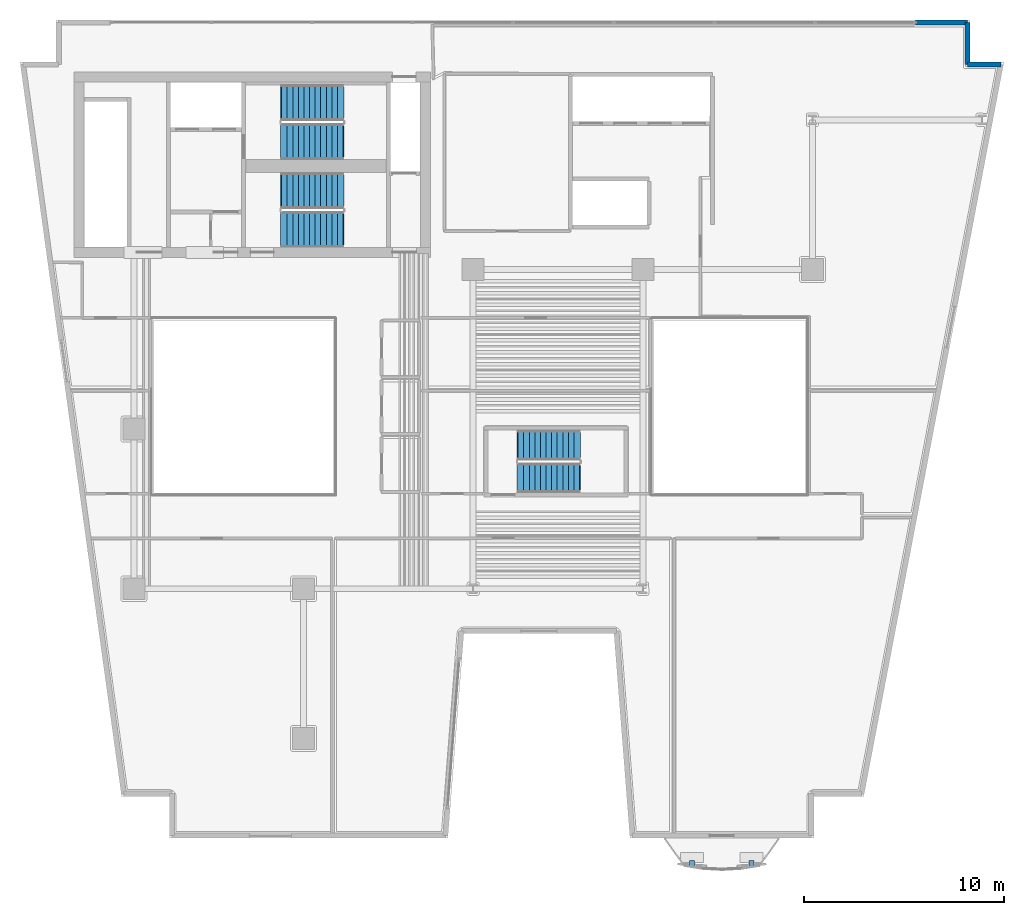
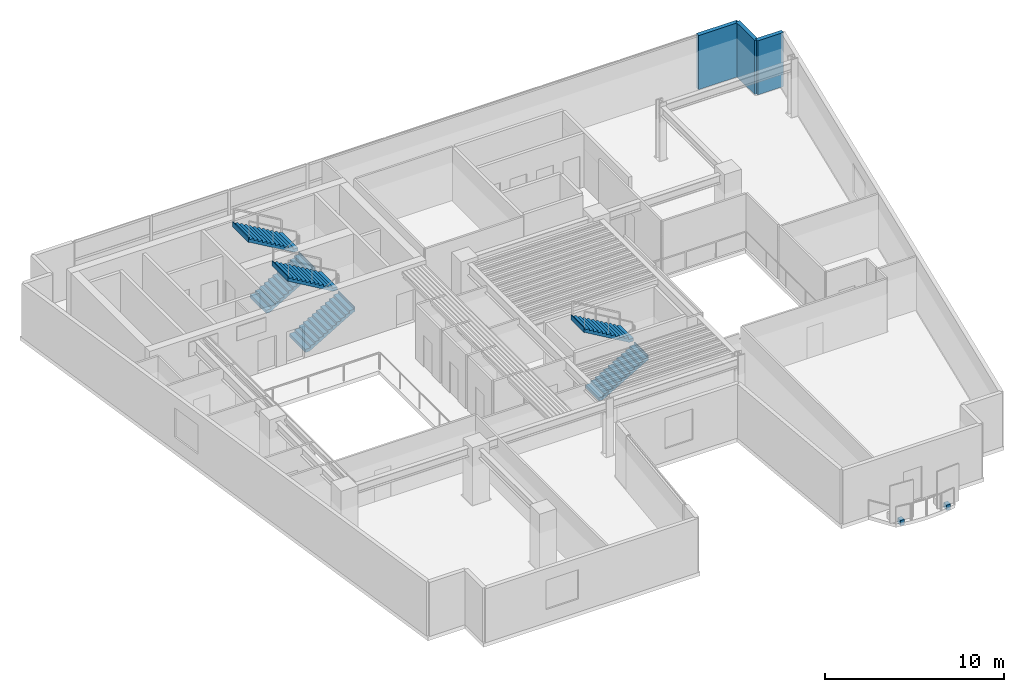
# One storey, part 8 of 13: 6 stair flights, 3 walls, 2 discrete accessories, 3 elements without a shape of their own.
"""IFC4 building model written with IfcOpenShell, lengths in metres."""

import ifcopenshell
import ifcopenshell.guid

model = None  # the IFC model being written
_history = None  # IfcOwnerHistory: only IFC2X3 demands one
_inside = {}  # id of a spatial element -> (the spatial element, [elements in it])
_under = {}  # id of a project, library or spatial element -> (it, [spatial elements below it])
_declared = {}  # id of a project -> (the project, [libraries it declares])
_typed = {}  # id of a type object -> (the type object, [elements of that type])
_made_of = {}  # id of a material, layer set ... -> (it, [elements and type objects made of it])


def new_model(schema):
    """Start an empty IFC model of exactly this schema.

    Asked for "IFC4X3", IfcOpenShell would pick the latest addendum, in which some entities
    have other attributes; the version numbers below select the first issue.
    IFC2X3 requires an IfcOwnerHistory on every rooted entity: one is made here for all.
    """
    global model, _history
    if schema == "IFC4X3":
        model = ifcopenshell.file(schema_version=(4, 3, 0, 0))
    else:
        model = ifcopenshell.file(schema=schema)
    _inside.clear()
    _under.clear()
    _declared.clear()
    _typed.clear()
    _made_of.clear()
    _history = None
    if model.schema == "IFC2X3":
        org = make("IfcOrganization", Name="unknown")
        user = make(
            "IfcPersonAndOrganization",
            ThePerson=make("IfcPerson", FamilyName="unknown"),
            TheOrganization=org,
        )
        app = make(
            "IfcApplication",
            ApplicationDeveloper=org,
            Version="unknown",
            ApplicationFullName="unknown",
            ApplicationIdentifier="unknown",
        )
        _history = make(
            "IfcOwnerHistory",
            OwningUser=user,
            OwningApplication=app,
            ChangeAction="ADDED",
            CreationDate=0,
        )
    return model


def make(cls, **values):
    """One entity of the class cls with the attributes given. An attribute that is None is left unset."""
    return model.create_entity(
        cls, **{name: value for name, value in values.items() if value is not None}
    )


def rooted(cls, **values):
    """An entity with a GlobalId (a new one), such as an element, a storey or a relation."""
    return make(cls, GlobalId=ifcopenshell.guid.new(), OwnerHistory=_history, **values)


def si_unit(unit_type, name, prefix=None):
    """IfcSIUnit, for example si_unit("LENGTHUNIT", "METRE", prefix="MILLI")."""
    return make("IfcSIUnit", UnitType=unit_type, Prefix=prefix, Name=name)


def assignment(units):
    """IfcUnitAssignment: the units of a project."""
    return None if units is None else make("IfcUnitAssignment", Units=units)


def point(xyz):
    """IfcCartesianPoint."""
    return None if xyz is None else make("IfcCartesianPoint", Coordinates=xyz)


def direction(xyz):
    """IfcDirection."""
    return None if xyz is None else make("IfcDirection", DirectionRatios=xyz)


def frame(location, z_axis=None, x_axis=None):
    """IfcAxis2Placement3D, a coordinate frame: its origin and axes. An axis left out is left unset."""
    return make(
        "IfcAxis2Placement3D",
        Location=point(location),
        Axis=direction(z_axis),
        RefDirection=direction(x_axis),
    )


def frame_2d(location, x_axis=None):
    """IfcAxis2Placement2D, a coordinate frame in the plane: its origin and x axis."""
    return make(
        "IfcAxis2Placement2D", Location=point(location), RefDirection=direction(x_axis)
    )


def origin():
    """The frame at (0, 0, 0) with its axes left unset."""
    return frame((0.0, 0.0, 0.0))


def origin_2d():
    """The frame at (0, 0) in the plane with its x axis left unset."""
    return frame_2d((0.0, 0.0))


def place(relative_to, where):
    """IfcLocalPlacement: puts the frame where relative to a parent placement (None: the world)."""
    return make(
        "IfcLocalPlacement", PlacementRelTo=relative_to, RelativePlacement=where
    )


def context(
    kind, dimensions, precision=None, world=None, true_north=None, identifier=None
):
    """IfcGeometricRepresentationContext, for example the 3D "Model" context."""
    return make(
        "IfcGeometricRepresentationContext",
        ContextIdentifier=identifier,
        ContextType=kind,
        CoordinateSpaceDimension=dimensions,
        Precision=precision,
        WorldCoordinateSystem=world,
        TrueNorth=true_north,
    )


def subcontext(parent, identifier, kind, view, scale=None):
    """IfcGeometricRepresentationSubContext, for example "Body" below "Model"."""
    return make(
        "IfcGeometricRepresentationSubContext",
        ContextIdentifier=identifier,
        ContextType=kind,
        ParentContext=parent,
        TargetScale=scale,
        TargetView=view,
    )


def project(units=None, contexts=None):
    """IfcProject with its units and contexts."""
    return rooted(
        "IfcProject",
        Name="project",
        RepresentationContexts=contexts,
        UnitsInContext=assignment(units),
    )


def spatial(cls, under=None, at=None, **own):
    """A site, building, storey or space (cls), placed at a placement, below another one or the project."""
    s = rooted(cls, ObjectPlacement=at, **own)
    if under is not None:
        _under.setdefault(under.id(), (under, []))[1].append(s)
    return s


def polyline(points):
    """IfcPolyline through the points."""
    return make("IfcPolyline", Points=[point(p) for p in points])


def profile(cls, at=None, kind="AREA", **sizes):
    """A parametric profile (cls). Its sizes go by their IFC names, for example OverallWidth=200.0."""
    return make(cls, ProfileType=kind, Position=at, **sizes)


def rectangle(**sizes):
    """IfcRectangleProfileDef."""
    return profile("IfcRectangleProfileDef", **sizes)


def outline(outer, holes=None, kind="AREA"):
    """IfcArbitraryClosedProfileDef: a profile drawn as a closed curve; with holes, ...WithVoids."""
    if holes is None:
        return make("IfcArbitraryClosedProfileDef", ProfileType=kind, OuterCurve=outer)
    return make(
        "IfcArbitraryProfileDefWithVoids",
        ProfileType=kind,
        OuterCurve=outer,
        InnerCurves=holes,
    )


def extrude(swept, where, along, depth):
    """IfcExtrudedAreaSolid: the profile swept, set in the frame where, extruded along a direction by depth."""
    return make(
        "IfcExtrudedAreaSolid",
        SweptArea=swept,
        Position=where,
        ExtrudedDirection=direction(along),
        Depth=depth,
    )


def shape(context_of_items, identifier, shape_type, items):
    """IfcShapeRepresentation: the items that make up one representation, for example the "Body"."""
    return make(
        "IfcShapeRepresentation",
        ContextOfItems=context_of_items,
        RepresentationIdentifier=identifier,
        RepresentationType=shape_type,
        Items=items,
    )


def material(Name=None, Category=None):
    """IfcMaterial."""
    return make("IfcMaterial", Name=Name, Category=Category)


def layer(
    of_material, thickness, ventilated=None, Name=None, Category=None, Priority=None
):
    """IfcMaterialLayer: one layer of a wall or slab, of a material (None: an air gap)."""
    return make(
        "IfcMaterialLayer",
        Material=of_material,
        LayerThickness=thickness,
        IsVentilated=ventilated,
        Name=Name,
        Category=Category,
        Priority=Priority,
    )


def layer_set(layers, Name=None):
    """IfcMaterialLayerSet."""
    return make("IfcMaterialLayerSet", MaterialLayers=layers, LayerSetName=Name)


def made_of(thing, what):
    """Note that an element or type object is made of a material, layer set ...; save() writes the relation."""
    if what is not None:
        _made_of.setdefault(what.id(), (what, []))[1].append(thing)
    return thing


def type_object(cls, material=None, **own):
    """A type object (cls), such as IfcWallType, which elements share."""
    return made_of(rooted(cls, **own), material)


def element(
    cls,
    number,
    at=None,
    inside=None,
    cuts=None,
    type_object=None,
    material=None,
    context=None,
    identifier="Body",
    shape_type=None,
    held_by="IfcProductDefinitionShape",
    body=None,
    shapes=None,
    **own,
):
    """One element of the class cls, such as IfcWall. Its Tag is "e" and its number.

    at: its placement. inside: the storey or other place that contains it. cuts: it is an
    opening in that element (IfcRelVoidsElement). A single representation is given by context,
    identifier, shape_type and body (its items); several are given by shapes. held_by: the class
    of the entity that holds the representations. save() writes the other relations.
    """
    e = rooted(cls, Tag="e%d" % number, ObjectPlacement=at, **own)
    if body is not None:
        shapes = [shape(context, identifier, shape_type, body)]
    if shapes is not None:
        e.Representation = make(held_by, Representations=shapes)
    if inside is not None:
        _inside.setdefault(inside.id(), (inside, []))[1].append(e)
    if cuts is not None:
        rooted(
            "IfcRelVoidsElement", RelatingBuildingElement=cuts, RelatedOpeningElement=e
        )
    if type_object is not None:
        _typed.setdefault(type_object.id(), (type_object, []))[1].append(e)
    return made_of(e, material)


def aggregate(whole, parts):
    """IfcRelAggregates: a whole, such as a stair, and the parts it consists of."""
    return rooted("IfcRelAggregates", RelatingObject=whole, RelatedObjects=parts)


def save(model, path):
    """Write the relations noted so far, then the file.

    IfcRelAggregates (storeys below a building ...), IfcRelContainedInSpatialStructure (elements
    in a storey), IfcRelDefinesByType, IfcRelAssociatesMaterial and IfcRelDeclares: one each for
    every whole, place, type object, material and project.
    """
    for whole, parts in _under.values():
        aggregate(whole, parts)
    for where, things in _inside.values():
        rooted(
            "IfcRelContainedInSpatialStructure",
            RelatedElements=things,
            RelatingStructure=where,
        )
    for kind, things in _typed.values():
        rooted("IfcRelDefinesByType", RelatedObjects=things, RelatingType=kind)
    for what, things in _made_of.values():
        rooted("IfcRelAssociatesMaterial", RelatedObjects=things, RelatingMaterial=what)
    for by, libraries in _declared.values():
        rooted("IfcRelDeclares", RelatingContext=by, RelatedDefinitions=libraries)
    model.write(path)


model = new_model("IFC4")

# Units and contexts
model_context = context("Model", 3, precision=1e-05, world=origin(), true_north=direction((0.0, 1.0)))
body_context = subcontext(model_context, "Body", "Model", "MODEL_VIEW")
ifc_project = project(units=[si_unit("LENGTHUNIT", "METRE"), si_unit("AREAUNIT", "SQUARE_METRE"), si_unit("VOLUMEUNIT", "CUBIC_METRE"), si_unit("PLANEANGLEUNIT", "RADIAN"), si_unit("MASSUNIT", "GRAM", prefix="KILO")], contexts=[model_context])

# Site, building, storey
site_placement = place(None, origin())
site = spatial("IfcSite", under=ifc_project, at=site_placement, CompositionType="ELEMENT")
building_placement = place(site_placement, origin())
building = spatial("IfcBuilding", under=site, at=building_placement, Name="Caeloran Harvest Quay", CompositionType="ELEMENT")
storey_placement = place(building_placement, frame((0.0, 0.0, 143.0)))
storey = spatial("IfcBuildingStorey", under=building, at=storey_placement, Name="L33", CompositionType="ELEMENT", Elevation=143.0)

# Walls
ifc_material_1 = material(Name="Precast concrete C50/60", Category="concrete")
ifc_layer = layer(ifc_material_1, 0.260009765625, Name="Precast concrete C50/60")
ifc_layer_set = layer_set([ifc_layer], Name="Precast concrete C50/60")
wall_type = type_object("IfcWallType", Name="ENV-WALL-EW-260", PredefinedType="STANDARD", material=ifc_layer_set)
wall_1_placement = place(storey_placement, frame((47.669921875, 43.3701171875, 0.0), z_axis=(0.0, 0.0, 1.0), x_axis=(1.0, 0.0, 0.0)))
element("IfcWall", 1, at=wall_1_placement, inside=storey, type_object=wall_type, Name="L33 Exterior Facade Corner Pier Wall 6B", PredefinedType="STANDARD", context=body_context, shape_type="SweptSolid", body=[
    extrude(rectangle(XDim=2.60009765625, YDim=0.260009765625, at=frame_2d((1.300048828125, 0.0))), origin(), (0.0, 0.0, 1.0), 3.68994140625),
])
wall_2_placement = place(storey_placement, frame((50.27001953125, 43.3701171875, 0.0), z_axis=(0.0, 0.0, 1.0), x_axis=(0.0, -1.0, 0.0)))
element("IfcWall", 2, at=wall_2_placement, inside=storey, type_object=wall_type, Name="L33 Exterior Precast Concrete Facade Wall 7", PredefinedType="STANDARD", context=body_context, shape_type="SweptSolid", body=[
    extrude(rectangle(XDim=2.10009765625, YDim=0.260009765625, at=frame_2d((1.050048828125, 0.0))), origin(), (0.0, 0.0, 1.0), 3.68994140625),
])
wall_3_placement = place(storey_placement, frame((50.27001953125, 41.27001953125, 0.0), z_axis=(0.0, 0.0, 1.0), x_axis=(1.0, 0.0, 0.0)))
element("IfcWall", 3, at=wall_3_placement, inside=storey, type_object=wall_type, Name="L33 Exterior Precast Concrete Facade Wall 8", PredefinedType="STANDARD", context=body_context, shape_type="SweptSolid", body=[
    extrude(rectangle(XDim=1.671875, YDim=0.260009765625, at=frame_2d((0.8359375, 0.0))), origin(), (0.0, 0.0, 1.0), 3.68994140625),
])

# Stair, stair flights
ifc_material_2 = material(Name="Concrete C50/60", Category="concrete")
stair_type_1 = type_object("IfcStairType", Name="STAIR-STC-180", PredefinedType="HALF_TURN_STAIR", material=ifc_material_2)
stair_1_placement = place(storey_placement, origin())
stair_1 = element("IfcStair", 4, at=stair_1_placement, inside=storey, type_object=stair_type_1, Name="L33 Core Pressurized Exit Stair ST-C1", PredefinedType="HALF_TURN_STAIR")
stair_flight_type_1 = type_object("IfcStairFlightType", Name="FLIGHT-STC-180", PredefinedType="STRAIGHT", material=ifc_material_2)
stair_flight_1_placement = place(storey_placement, frame((15.89990234375, 37.39990234375, 0.0), z_axis=(0.0, 0.0, 1.0), x_axis=(1.0, 0.0, 0.0)))
stair_flight_1 = element("IfcStairFlight", 5, at=stair_flight_1_placement, type_object=stair_flight_type_1, Name="ST-C1 flight 1", NumberOfRisers=12, NumberOfTreads=11, PredefinedType="STRAIGHT", RiserHeight=0.164583333, TreadLength=0.28, context=body_context, shape_type="SweptSolid", body=[
    extrude(outline(polyline([(-0.054931640625, -0.044921875), (-0.054931640625, -0.031982421875), (-0.054931640625, -0.018798828125), (-0.054931640625, -0.005615234375), (-0.054931640625, 0.00732421875), (-0.054931640625, 0.0205078125), (-0.054931640625, 0.03369140625), (-0.054931640625, 0.046630859375), (-0.054931640625, 0.059814453125), (-0.054931640625, 0.072998046875), (-0.054931640625, 0.0859375), (-0.054931640625, 0.09912109375), (-0.054931640625, 0.1123046875), (-0.054931640625, 0.125244140625), (-0.054931640625, 0.138427734375), (-0.054931640625, 0.1513671875), (-0.054931640625, 0.16455078125), (0.280029296875, 0.16455078125), (0.280029296875, 0.3291015625), (0.56005859375, 0.3291015625), (0.56005859375, 0.49365234375), (0.840087890625, 0.49365234375), (0.840087890625, 0.658447265625), (1.1201171875, 0.658447265625), (1.1201171875, 0.822998046875), (1.39990234375, 0.822998046875), (1.39990234375, 0.987548828125), (1.679931640625, 0.987548828125), (1.679931640625, 1.152099609375), (1.9599609375, 1.152099609375), (1.9599609375, 1.316650390625), (2.239990234375, 1.316650390625), (2.239990234375, 1.481201171875), (2.52001953125, 1.481201171875), (2.52001953125, 1.645751953125), (2.800048828125, 1.645751953125), (2.800048828125, 1.810302734375), (3.080078125, 1.810302734375), (3.080078125, 1.97509765625), (3.135009765625, 1.97509765625), (3.135009765625, 1.953857421875), (3.135009765625, 1.9326171875), (3.135009765625, 1.91162109375), (3.135009765625, 1.890380859375), (3.135009765625, 1.869140625), (3.135009765625, 1.84814453125), (3.135009765625, 1.826904296875), (3.135009765625, 1.8056640625), (3.135009765625, 1.78466796875), (3.135009765625, 1.763427734375), (3.135009765625, 1.7421875), (3.135009765625, 1.72119140625), (3.135009765625, 1.699951171875), (3.135009765625, 1.678955078125), (3.135009765625, 1.65771484375), (3.135009765625, 1.636474609375), (3.080078125, 1.636474609375), (0.21923828125, -0.044921875), (-0.054931640625, -0.044921875)])), frame((0.0, 0.89990234375, 0.0), z_axis=(0.0, -1.0, 0.0), x_axis=(1.0, 0.0, 0.0)), (0.0, 0.0, 1.0), 1.800048828125),
])
stair_flight_2_placement = place(storey_placement, frame((18.97998046875, 39.35009765625, 1.97509765625), z_axis=(0.0, 0.0, 1.0), x_axis=(-1.0, 0.0, 0.0)))
stair_flight_2 = element("IfcStairFlight", 6, at=stair_flight_2_placement, type_object=stair_flight_type_1, Name="ST-C1 flight 2", NumberOfRisers=12, NumberOfTreads=11, PredefinedType="STRAIGHT", RiserHeight=0.164583333, TreadLength=0.28, context=body_context, shape_type="SweptSolid", body=[
    extrude(outline(polyline([(-0.054931640625, -0.044921875), (-0.054931640625, -0.031982421875), (-0.054931640625, -0.018798828125), (-0.054931640625, -0.005615234375), (-0.054931640625, 0.00732421875), (-0.054931640625, 0.0205078125), (-0.054931640625, 0.03369140625), (-0.054931640625, 0.046630859375), (-0.054931640625, 0.059814453125), (-0.054931640625, 0.072998046875), (-0.054931640625, 0.0859375), (-0.054931640625, 0.09912109375), (-0.054931640625, 0.1123046875), (-0.054931640625, 0.125244140625), (-0.054931640625, 0.138427734375), (-0.054931640625, 0.1513671875), (-0.054931640625, 0.16455078125), (0.280029296875, 0.16455078125), (0.280029296875, 0.3291015625), (0.56005859375, 0.3291015625), (0.56005859375, 0.49365234375), (0.840087890625, 0.49365234375), (0.840087890625, 0.658447265625), (1.1201171875, 0.658447265625), (1.1201171875, 0.822998046875), (1.39990234375, 0.822998046875), (1.39990234375, 0.987548828125), (1.679931640625, 0.987548828125), (1.679931640625, 1.152099609375), (1.9599609375, 1.152099609375), (1.9599609375, 1.316650390625), (2.239990234375, 1.316650390625), (2.239990234375, 1.481201171875), (2.52001953125, 1.481201171875), (2.52001953125, 1.645751953125), (2.800048828125, 1.645751953125), (2.800048828125, 1.810302734375), (3.080078125, 1.810302734375), (3.080078125, 1.97509765625), (3.135009765625, 1.97509765625), (3.135009765625, 1.953857421875), (3.135009765625, 1.9326171875), (3.135009765625, 1.91162109375), (3.135009765625, 1.890380859375), (3.135009765625, 1.869140625), (3.135009765625, 1.84814453125), (3.135009765625, 1.826904296875), (3.135009765625, 1.8056640625), (3.135009765625, 1.78466796875), (3.135009765625, 1.763427734375), (3.135009765625, 1.7421875), (3.135009765625, 1.72119140625), (3.135009765625, 1.699951171875), (3.135009765625, 1.678955078125), (3.135009765625, 1.65771484375), (3.135009765625, 1.636474609375), (3.080078125, 1.636474609375), (0.21923828125, -0.044921875), (-0.054931640625, -0.044921875)])), frame((0.0, 0.89990234375, 0.0), z_axis=(0.0, -1.0, 0.0), x_axis=(1.0, 0.0, 0.0)), (0.0, 0.0, 1.0), 1.800048828125),
])
aggregate(stair_1, [stair_flight_1, stair_flight_2])

stair_2_placement = place(storey_placement, origin())
stair_2 = element("IfcStair", 7, at=stair_2_placement, inside=storey, type_object=stair_type_1, Name="L33 Core Pressurized Exit Stair ST-C2", PredefinedType="HALF_TURN_STAIR")
stair_flight_3_placement = place(storey_placement, frame((15.89990234375, 33.0, 0.0), z_axis=(0.0, 0.0, 1.0), x_axis=(1.0, 0.0, 0.0)))
stair_flight_3 = element("IfcStairFlight", 8, at=stair_flight_3_placement, type_object=stair_flight_type_1, Name="ST-C2 flight 1", NumberOfRisers=12, NumberOfTreads=11, PredefinedType="STRAIGHT", RiserHeight=0.164583333, TreadLength=0.28, context=body_context, shape_type="SweptSolid", body=[
    extrude(outline(polyline([(-0.054931640625, -0.044921875), (-0.054931640625, -0.031982421875), (-0.054931640625, -0.018798828125), (-0.054931640625, -0.005615234375), (-0.054931640625, 0.00732421875), (-0.054931640625, 0.0205078125), (-0.054931640625, 0.03369140625), (-0.054931640625, 0.046630859375), (-0.054931640625, 0.059814453125), (-0.054931640625, 0.072998046875), (-0.054931640625, 0.0859375), (-0.054931640625, 0.09912109375), (-0.054931640625, 0.1123046875), (-0.054931640625, 0.125244140625), (-0.054931640625, 0.138427734375), (-0.054931640625, 0.1513671875), (-0.054931640625, 0.16455078125), (0.280029296875, 0.16455078125), (0.280029296875, 0.3291015625), (0.56005859375, 0.3291015625), (0.56005859375, 0.49365234375), (0.840087890625, 0.49365234375), (0.840087890625, 0.658447265625), (1.1201171875, 0.658447265625), (1.1201171875, 0.822998046875), (1.39990234375, 0.822998046875), (1.39990234375, 0.987548828125), (1.679931640625, 0.987548828125), (1.679931640625, 1.152099609375), (1.9599609375, 1.152099609375), (1.9599609375, 1.316650390625), (2.239990234375, 1.316650390625), (2.239990234375, 1.481201171875), (2.52001953125, 1.481201171875), (2.52001953125, 1.645751953125), (2.800048828125, 1.645751953125), (2.800048828125, 1.810302734375), (3.080078125, 1.810302734375), (3.080078125, 1.97509765625), (3.135009765625, 1.97509765625), (3.135009765625, 1.953857421875), (3.135009765625, 1.9326171875), (3.135009765625, 1.91162109375), (3.135009765625, 1.890380859375), (3.135009765625, 1.869140625), (3.135009765625, 1.84814453125), (3.135009765625, 1.826904296875), (3.135009765625, 1.8056640625), (3.135009765625, 1.78466796875), (3.135009765625, 1.763427734375), (3.135009765625, 1.7421875), (3.135009765625, 1.72119140625), (3.135009765625, 1.699951171875), (3.135009765625, 1.678955078125), (3.135009765625, 1.65771484375), (3.135009765625, 1.636474609375), (3.080078125, 1.636474609375), (0.21923828125, -0.044921875), (-0.054931640625, -0.044921875)])), frame((0.0, 0.89990234375, 0.0), z_axis=(0.0, -1.0, 0.0), x_axis=(1.0, 0.0, 0.0)), (0.0, 0.0, 1.0), 1.800048828125),
])
stair_flight_4_placement = place(storey_placement, frame((18.97998046875, 34.949951171875, 1.97509765625), z_axis=(0.0, 0.0, 1.0), x_axis=(-1.0, 0.0, 0.0)))
stair_flight_4 = element("IfcStairFlight", 9, at=stair_flight_4_placement, type_object=stair_flight_type_1, Name="ST-C2 flight 2", NumberOfRisers=12, NumberOfTreads=11, PredefinedType="STRAIGHT", RiserHeight=0.164583333, TreadLength=0.28, context=body_context, shape_type="SweptSolid", body=[
    extrude(outline(polyline([(-0.054931640625, -0.044921875), (-0.054931640625, -0.031982421875), (-0.054931640625, -0.018798828125), (-0.054931640625, -0.005615234375), (-0.054931640625, 0.00732421875), (-0.054931640625, 0.0205078125), (-0.054931640625, 0.03369140625), (-0.054931640625, 0.046630859375), (-0.054931640625, 0.059814453125), (-0.054931640625, 0.072998046875), (-0.054931640625, 0.0859375), (-0.054931640625, 0.09912109375), (-0.054931640625, 0.1123046875), (-0.054931640625, 0.125244140625), (-0.054931640625, 0.138427734375), (-0.054931640625, 0.1513671875), (-0.054931640625, 0.16455078125), (0.280029296875, 0.16455078125), (0.280029296875, 0.3291015625), (0.56005859375, 0.3291015625), (0.56005859375, 0.49365234375), (0.840087890625, 0.49365234375), (0.840087890625, 0.658447265625), (1.1201171875, 0.658447265625), (1.1201171875, 0.822998046875), (1.39990234375, 0.822998046875), (1.39990234375, 0.987548828125), (1.679931640625, 0.987548828125), (1.679931640625, 1.152099609375), (1.9599609375, 1.152099609375), (1.9599609375, 1.316650390625), (2.239990234375, 1.316650390625), (2.239990234375, 1.481201171875), (2.52001953125, 1.481201171875), (2.52001953125, 1.645751953125), (2.800048828125, 1.645751953125), (2.800048828125, 1.810302734375), (3.080078125, 1.810302734375), (3.080078125, 1.97509765625), (3.135009765625, 1.97509765625), (3.135009765625, 1.953857421875), (3.135009765625, 1.9326171875), (3.135009765625, 1.91162109375), (3.135009765625, 1.890380859375), (3.135009765625, 1.869140625), (3.135009765625, 1.84814453125), (3.135009765625, 1.826904296875), (3.135009765625, 1.8056640625), (3.135009765625, 1.78466796875), (3.135009765625, 1.763427734375), (3.135009765625, 1.7421875), (3.135009765625, 1.72119140625), (3.135009765625, 1.699951171875), (3.135009765625, 1.678955078125), (3.135009765625, 1.65771484375), (3.135009765625, 1.636474609375), (3.080078125, 1.636474609375), (0.21923828125, -0.044921875), (-0.054931640625, -0.044921875)])), frame((0.0, 0.89990234375, 0.0), z_axis=(0.0, -1.0, 0.0), x_axis=(1.0, 0.0, 0.0)), (0.0, 0.0, 1.0), 1.800048828125),
])
aggregate(stair_2, [stair_flight_3, stair_flight_4])

stair_type_2 = type_object("IfcStairType", Name="STAIR-STW-150", PredefinedType="HALF_TURN_STAIR", material=ifc_material_2)
stair_3_placement = place(storey_placement, origin())
stair_3 = element("IfcStair", 10, at=stair_3_placement, inside=storey, type_object=stair_type_2, Name="L33 East Wing Protected Exit Stair ST-W1", PredefinedType="HALF_TURN_STAIR")
stair_flight_type_2 = type_object("IfcStairFlightType", Name="FLIGHT-STW-150", PredefinedType="STRAIGHT", material=ifc_material_2)
stair_flight_5_placement = place(storey_placement, frame((27.75, 20.550048828125, 0.0), z_axis=(0.0, 0.0, 1.0), x_axis=(1.0, 0.0, 0.0)))
stair_flight_5 = element("IfcStairFlight", 11, at=stair_flight_5_placement, type_object=stair_flight_type_2, Name="ST-W1 flight 1", NumberOfRisers=12, NumberOfTreads=11, PredefinedType="STRAIGHT", RiserHeight=0.164583333, TreadLength=0.28, context=body_context, shape_type="SweptSolid", body=[
    extrude(outline(polyline([(-0.054931640625, -0.044921875), (-0.054931640625, -0.031982421875), (-0.054931640625, -0.018798828125), (-0.054931640625, -0.005615234375), (-0.054931640625, 0.00732421875), (-0.054931640625, 0.0205078125), (-0.054931640625, 0.03369140625), (-0.054931640625, 0.046630859375), (-0.054931640625, 0.059814453125), (-0.054931640625, 0.072998046875), (-0.054931640625, 0.0859375), (-0.054931640625, 0.09912109375), (-0.054931640625, 0.1123046875), (-0.054931640625, 0.125244140625), (-0.054931640625, 0.138427734375), (-0.054931640625, 0.1513671875), (-0.054931640625, 0.16455078125), (0.280029296875, 0.16455078125), (0.280029296875, 0.3291015625), (0.56005859375, 0.3291015625), (0.56005859375, 0.49365234375), (0.840087890625, 0.49365234375), (0.840087890625, 0.658447265625), (1.1201171875, 0.658447265625), (1.1201171875, 0.822998046875), (1.39990234375, 0.822998046875), (1.39990234375, 0.987548828125), (1.679931640625, 0.987548828125), (1.679931640625, 1.152099609375), (1.9599609375, 1.152099609375), (1.9599609375, 1.316650390625), (2.239990234375, 1.316650390625), (2.239990234375, 1.481201171875), (2.52001953125, 1.481201171875), (2.52001953125, 1.645751953125), (2.800048828125, 1.645751953125), (2.800048828125, 1.810302734375), (3.080078125, 1.810302734375), (3.080078125, 1.97509765625), (3.135009765625, 1.97509765625), (3.135009765625, 1.953857421875), (3.135009765625, 1.9326171875), (3.135009765625, 1.91162109375), (3.135009765625, 1.890380859375), (3.135009765625, 1.869140625), (3.135009765625, 1.84814453125), (3.135009765625, 1.826904296875), (3.135009765625, 1.8056640625), (3.135009765625, 1.78466796875), (3.135009765625, 1.763427734375), (3.135009765625, 1.7421875), (3.135009765625, 1.72119140625), (3.135009765625, 1.699951171875), (3.135009765625, 1.678955078125), (3.135009765625, 1.65771484375), (3.135009765625, 1.636474609375), (3.080078125, 1.636474609375), (0.21923828125, -0.044921875), (-0.054931640625, -0.044921875)])), frame((0.0, 0.75, 0.0), z_axis=(0.0, -1.0, 0.0), x_axis=(1.0, 0.0, 0.0)), (0.0, 0.0, 1.0), 1.5),
])
stair_flight_6_placement = place(storey_placement, frame((30.830078125, 22.199951171875, 1.97509765625), z_axis=(0.0, 0.0, 1.0), x_axis=(-1.0, 0.0, 0.0)))
stair_flight_6 = element("IfcStairFlight", 12, at=stair_flight_6_placement, type_object=stair_flight_type_2, Name="ST-W1 flight 2", NumberOfRisers=12, NumberOfTreads=11, PredefinedType="STRAIGHT", RiserHeight=0.164583333, TreadLength=0.28, context=body_context, shape_type="SweptSolid", body=[
    extrude(outline(polyline([(-0.054931640625, -0.044921875), (-0.054931640625, -0.031982421875), (-0.054931640625, -0.018798828125), (-0.054931640625, -0.005615234375), (-0.054931640625, 0.00732421875), (-0.054931640625, 0.0205078125), (-0.054931640625, 0.03369140625), (-0.054931640625, 0.046630859375), (-0.054931640625, 0.059814453125), (-0.054931640625, 0.072998046875), (-0.054931640625, 0.0859375), (-0.054931640625, 0.09912109375), (-0.054931640625, 0.1123046875), (-0.054931640625, 0.125244140625), (-0.054931640625, 0.138427734375), (-0.054931640625, 0.1513671875), (-0.054931640625, 0.16455078125), (0.280029296875, 0.16455078125), (0.280029296875, 0.3291015625), (0.56005859375, 0.3291015625), (0.56005859375, 0.49365234375), (0.840087890625, 0.49365234375), (0.840087890625, 0.658447265625), (1.1201171875, 0.658447265625), (1.1201171875, 0.822998046875), (1.39990234375, 0.822998046875), (1.39990234375, 0.987548828125), (1.679931640625, 0.987548828125), (1.679931640625, 1.152099609375), (1.9599609375, 1.152099609375), (1.9599609375, 1.316650390625), (2.239990234375, 1.316650390625), (2.239990234375, 1.481201171875), (2.52001953125, 1.481201171875), (2.52001953125, 1.645751953125), (2.800048828125, 1.645751953125), (2.800048828125, 1.810302734375), (3.080078125, 1.810302734375), (3.080078125, 1.97509765625), (3.135009765625, 1.97509765625), (3.135009765625, 1.953857421875), (3.135009765625, 1.9326171875), (3.135009765625, 1.91162109375), (3.135009765625, 1.890380859375), (3.135009765625, 1.869140625), (3.135009765625, 1.84814453125), (3.135009765625, 1.826904296875), (3.135009765625, 1.8056640625), (3.135009765625, 1.78466796875), (3.135009765625, 1.763427734375), (3.135009765625, 1.7421875), (3.135009765625, 1.72119140625), (3.135009765625, 1.699951171875), (3.135009765625, 1.678955078125), (3.135009765625, 1.65771484375), (3.135009765625, 1.636474609375), (3.080078125, 1.636474609375), (0.21923828125, -0.044921875), (-0.054931640625, -0.044921875)])), frame((0.0, 0.75, 0.0), z_axis=(0.0, -1.0, 0.0), x_axis=(1.0, 0.0, 0.0)), (0.0, 0.0, 1.0), 1.5),
])
aggregate(stair_3, [stair_flight_5, stair_flight_6])

# Discrete accessories
ifc_material_3 = material(Name="Stainless Steel Grade 316L", Category="steel")
discrete_accessory_type = type_object("IfcDiscreteAccessoryType", Name="BRACKET-SCREEN-SS", PredefinedType="BRACKET", material=ifc_material_3)
for number, where, z_axis, x_axis, name in (
    (13, (39.44921875, 1.21484375, -0.22021484375), (0.0, 0.0, 1.0), (1.0, 0.0, 0.0), "L33 Balcony Screen Support Bracket 1"),
    (14, (36.4658203125, 1.21484375, -0.22021484375), (0.0, 0.0, 1.0), (1.0, 0.0, 0.0), "L33 Balcony Screen Support Bracket 2"),
):
    element("IfcDiscreteAccessory", number, at=place(storey_placement, frame(where, z_axis=z_axis, x_axis=x_axis)), inside=storey, type_object=discrete_accessory_type, Name=name, PredefinedType="BRACKET", context=body_context, shape_type="SweptSolid", body=[
        extrude(rectangle(XDim=0.260009765625, YDim=0.340087890625, at=origin_2d()), origin(), (0.0, 0.0, 1.0), 0.360107421875),
    ])

save(model, "model.ifc")
